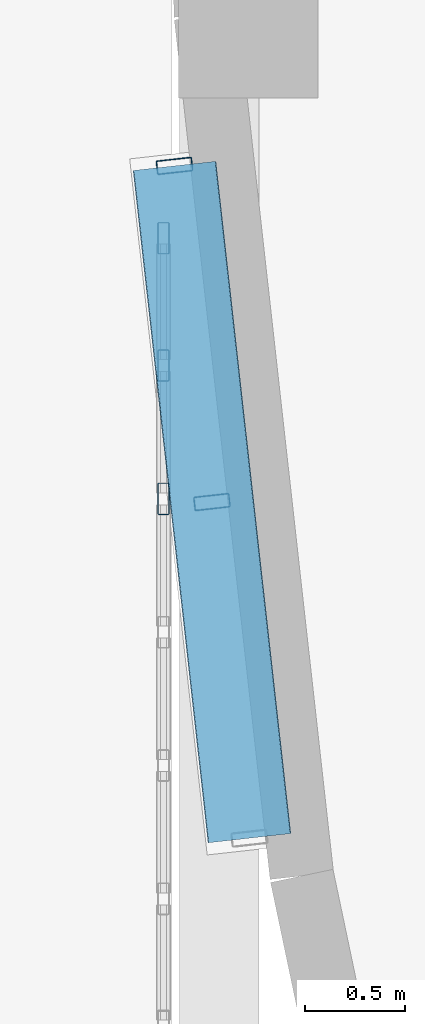
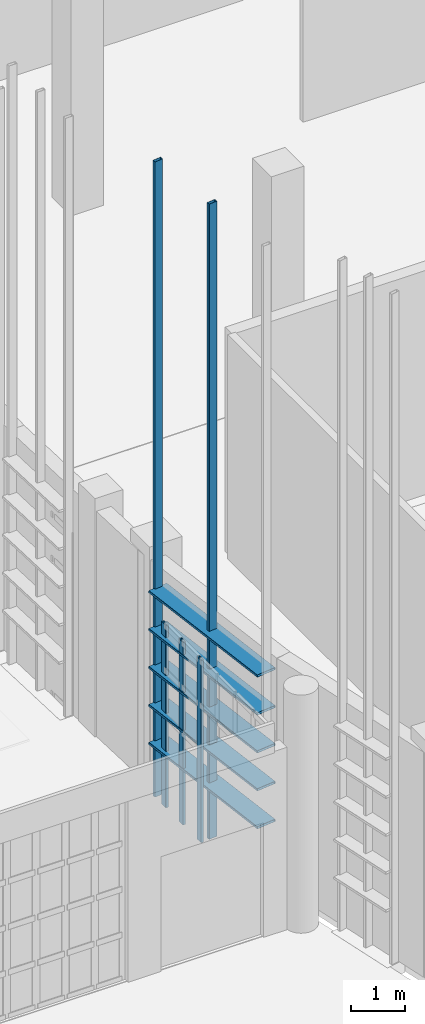
# One storey, part 225 of 372: 10 members, 1 element without a shape of its own.
"""IFC4 building model written with IfcOpenShell, lengths in metres."""

from ifc_helpers import new_model, si_unit, direction, frame, origin, origin_2d, place, context, subcontext, project, spatial, hollow_rectangle, extrude, material, material_profile, profile_set, type_object, element, aggregate, save


model = new_model("IFC4")

# Units and contexts
model_context = context("Model", 3, precision=1e-05, world=origin(), true_north=direction((0.0, 1.0)))
body_context = subcontext(model_context, "Body", "Model", "MODEL_VIEW")
ifc_project = project(units=[si_unit("LENGTHUNIT", "METRE"), si_unit("AREAUNIT", "SQUARE_METRE"), si_unit("VOLUMEUNIT", "CUBIC_METRE"), si_unit("PLANEANGLEUNIT", "RADIAN"), si_unit("MASSUNIT", "GRAM", prefix="KILO")], contexts=[model_context])

# Site, building, storey
site_placement = place(None, origin())
site = spatial("IfcSite", under=ifc_project, at=site_placement, CompositionType="ELEMENT")
building_placement = place(site_placement, origin())
building = spatial("IfcBuilding", under=site, at=building_placement, Name="Kaelora Sail Theatre", CompositionType="ELEMENT")
storey_placement = place(building_placement, origin())
storey = spatial("IfcBuildingStorey", under=building, at=storey_placement, Name="L00", CompositionType="ELEMENT", Elevation=0.0)

# Members
ifc_material_1 = material(Name="Anodised aluminium 6063-T6", Category="aluminium")
ifc_material_profile_1 = material_profile(ifc_material_1, hollow_rectangle(XDim=0.419921875, YDim=0.054931640625, WallThickness=0.00390625, InnerFilletRadius=0.00390625, OuterFilletRadius=0.008056640625, at=origin_2d()), Name="LOUVRE 420x55x4")
ifc_profile_set_1 = profile_set([ifc_material_profile_1], Name="Anodised aluminium 6063-T6")
member_type_1 = type_object("IfcMemberType", Name="ARC-MEM-LVR-420", PredefinedType="USERDEFINED", material=ifc_profile_set_1)
for number, where, z_axis, x_axis, name in (
    (1, (123.151611328125, 40.25830078125, 1.25), (-0.110786598659, 0.993844217952, 0.0), (-0.993844217952, -0.110786598659, 0.0), "Black-Box and Experimental Sail Wing horizontal solar louvre C18-01"),
    (2, (123.151611328125, 40.25830078125, 2.110107421875), (-0.110786598659, 0.993844217952, 0.0), (-0.993844217952, -0.110786598659, 0.0), "Black-Box and Experimental Sail Wing horizontal solar louvre C18-02"),
    (3, (123.151611328125, 40.25830078125, 2.969970703125), (-0.110786598659, 0.993844217952, 0.0), (-0.993844217952, -0.110786598659, 0.0), "Black-Box and Experimental Sail Wing horizontal solar louvre C18-03"),
    (4, (123.151611328125, 40.25830078125, 3.830078125), (-0.110786598659, 0.993844217952, 0.0), (-0.993844217952, -0.110786598659, 0.0), "Black-Box and Experimental Sail Wing horizontal solar louvre C18-04"),
    (5, (123.151611328125, 40.25830078125, 4.68994140625), (-0.110786598659, 0.993844217952, 0.0), (-0.993844217952, -0.110786598659, 0.0), "Black-Box and Experimental Sail Wing horizontal solar louvre C18-05"),
):
    element("IfcMember", number, at=place(storey_placement, frame(where, z_axis=z_axis, x_axis=x_axis)), inside=storey, type_object=member_type_1, Name=name, ObjectType="LOUVRE", PredefinedType="USERDEFINED", context=body_context, shape_type="SweptSolid", body=[
        extrude(hollow_rectangle(XDim=0.419921875, YDim=0.054931640625, WallThickness=0.00390625, InnerFilletRadius=0.00390625, OuterFilletRadius=0.008056640625, at=origin_2d()), origin(), (0.0, 0.0, 1.0), 3.39599609375),
    ])

# Curtain wall, members
ifc_material_2 = material(Name="Anodised aluminium and solar-control low-E IGU", Category="aluminium")
curtain_wall_type = type_object("IfcCurtainWallType", Name="ARC-CW-CW-FOY2", PredefinedType="NOTDEFINED", material=ifc_material_2)
curtain_wall_placement = place(storey_placement, origin())
curtain_wall = element("IfcCurtainWall", 6, at=curtain_wall_placement, inside=storey, type_object=curtain_wall_type, Name="East Interstitial Foyer East Glazed Return L00-01", PredefinedType="NOTDEFINED")
ifc_material_3 = material(Name="Anodised aluminium 6063-T6", Category="aluminium")
ifc_material_profile_2 = material_profile(ifc_material_3, hollow_rectangle(XDim=0.06005859375, YDim=0.159912109375, WallThickness=0.00390625, InnerFilletRadius=0.00390625, OuterFilletRadius=0.008056640625, at=origin_2d()), Name="ALU-MULL 60x160x4")
ifc_profile_set_2 = profile_set([ifc_material_profile_2], Name="Anodised aluminium 6063-T6")
member_type_2 = type_object("IfcMemberType", Name="ARC-MEM-ML-160", PredefinedType="MULLION", material=ifc_profile_set_2)
member_1_placement = place(storey_placement, frame((122.719970703125, 41.961669921875, 0.0), z_axis=(0.0, 0.0, 1.0), x_axis=(-1.0, 0.0, 0.0)))
member_1 = element("IfcMember", 7, at=member_1_placement, type_object=member_type_2, Name="CW-FOY2 mullion 5", PredefinedType="MULLION", context=body_context, shape_type="SweptSolid", body=[
    extrude(hollow_rectangle(XDim=0.06005859375, YDim=0.159912109375, WallThickness=0.00390625, InnerFilletRadius=0.00390625, OuterFilletRadius=0.008056640625, at=origin_2d()), origin(), (0.0, 0.0, 1.0), 4.136962890625),
])
member_2_placement = place(storey_placement, frame((122.719970703125, 42.630859375, 0.0), z_axis=(0.0, 0.0, 1.0), x_axis=(-1.0, 0.0, 0.0)))
member_2 = element("IfcMember", 8, at=member_2_placement, type_object=member_type_2, Name="CW-FOY2 mullion 6", PredefinedType="MULLION", context=body_context, shape_type="SweptSolid", body=[
    extrude(hollow_rectangle(XDim=0.06005859375, YDim=0.159912109375, WallThickness=0.00390625, InnerFilletRadius=0.00390625, OuterFilletRadius=0.008056640625, at=origin_2d()), origin(), (0.0, 0.0, 1.0), 4.136962890625),
])
member_3_placement = place(storey_placement, frame((122.719970703125, 43.27001953125, 0.0), z_axis=(0.0, 0.0, 1.0), x_axis=(-1.0, 0.0, 0.0)))
member_3 = element("IfcMember", 9, at=member_3_placement, type_object=member_type_2, Name="CW-FOY2 mullion 7", PredefinedType="MULLION", context=body_context, shape_type="SweptSolid", body=[
    extrude(hollow_rectangle(XDim=0.06005859375, YDim=0.159912109375, WallThickness=0.00390625, InnerFilletRadius=0.00390625, OuterFilletRadius=0.008056640625, at=origin_2d()), origin(), (0.0, 0.0, 1.0), 4.136962890625),
])
aggregate(curtain_wall, [member_1, member_2, member_3])

# Members
ifc_material_4 = material(Name="Anodised aluminium 6063-T6", Category="aluminium")
ifc_material_profile_3 = material_profile(ifc_material_4, hollow_rectangle(XDim=0.070068359375, YDim=0.179931640625, WallThickness=0.00390625, InnerFilletRadius=0.00390625, OuterFilletRadius=0.008056640625, at=origin_2d()), Name="ALU-MULL 70x180x4")
ifc_profile_set_3 = profile_set([ifc_material_profile_3], Name="Anodised aluminium 6063-T6")
member_type_3 = type_object("IfcMemberType", Name="ARC-MEM-PST-160", PredefinedType="POST", material=ifc_profile_set_3)
for number, where, z_axis, x_axis, name in (
    (10, (122.96337890625, 41.94580078125, 0.0), (0.0, 0.0, 1.0), (-0.110775124211, 0.993845496974, 0.0), "Black-Box and Experimental Sail Wing solar louvre vertical support post C18-2"),
    (11, (122.775390625, 43.63330078125, 0.0), (0.0, 0.0, 1.0), (-0.110775124211, 0.993845496974, 0.0), "Black-Box and Experimental Sail Wing solar louvre vertical support post C18-3"),
):
    element("IfcMember", number, at=place(storey_placement, frame(where, z_axis=z_axis, x_axis=x_axis)), inside=storey, type_object=member_type_3, Name=name, PredefinedType="POST", context=body_context, shape_type="SweptSolid", body=[
        extrude(hollow_rectangle(XDim=0.070068359375, YDim=0.179931640625, WallThickness=0.00390625, InnerFilletRadius=0.00390625, OuterFilletRadius=0.008056640625, at=origin_2d()), origin(), (0.0, 0.0, 1.0), 14.404541015625),
    ])

save(model, "model.ifc")
